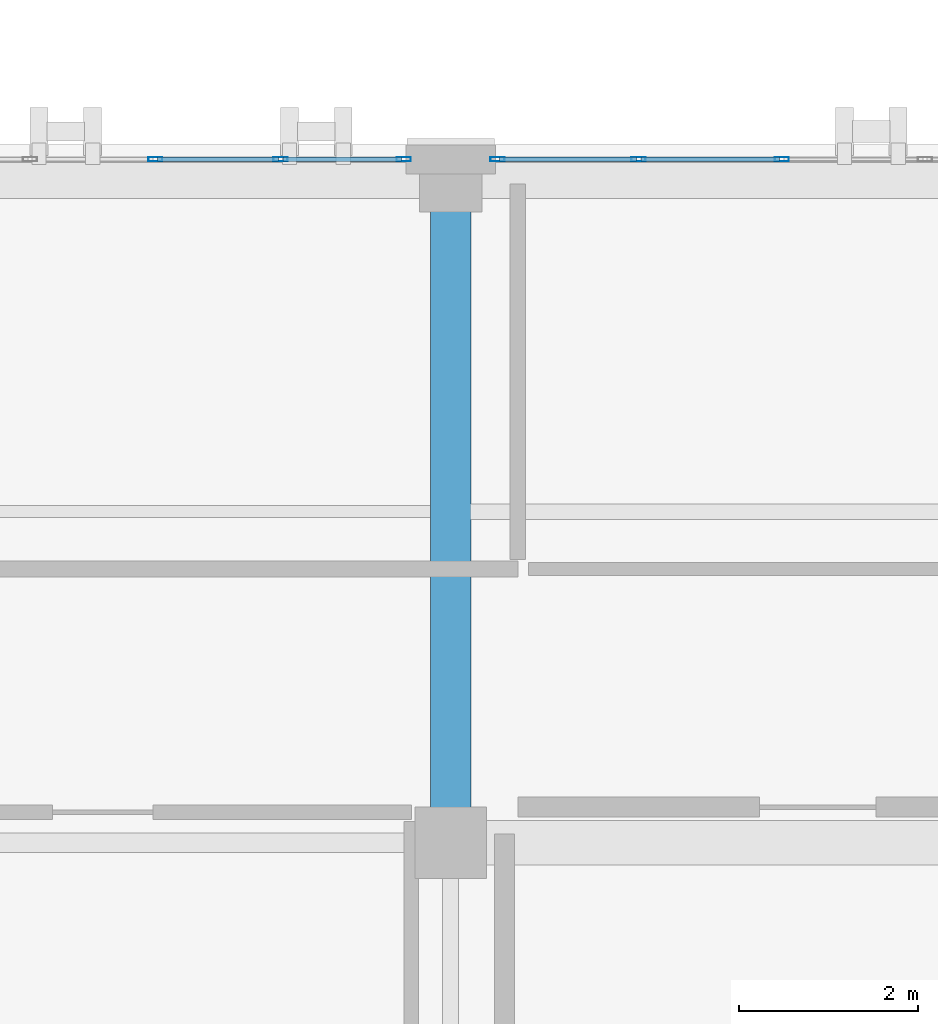
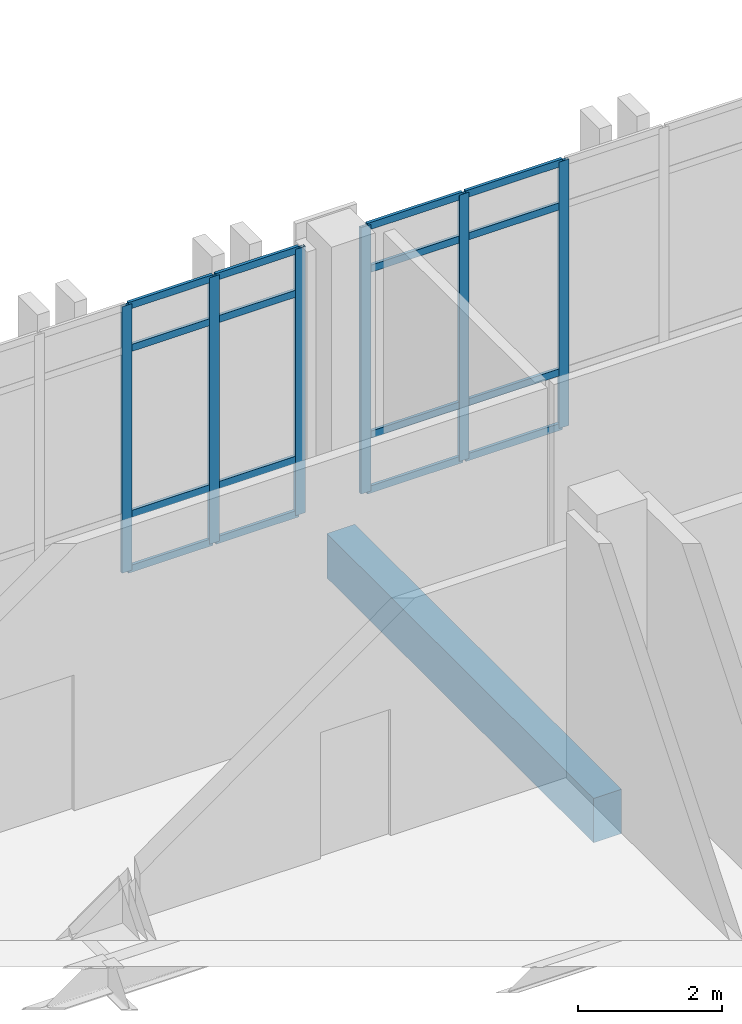
# One storey, part 53 of 189: 22 members, 1 beam, 2 elements without a shape of their own.
"""IFC4 building model written with IfcOpenShell, lengths in metres."""

from ifc_helpers import new_model, si_unit, direction, frame, origin, origin_2d, place, context, subcontext, project, spatial, rectangle, hollow_rectangle, extrude, material, layer, layer_set, material_profile, profile_set, type_object, element, aggregate, save


model = new_model("IFC4")

# Units and contexts
model_context = context("Model", 3, precision=1e-05, world=origin(), true_north=direction((0.0, 1.0)))
body_context = subcontext(model_context, "Body", "Model", "MODEL_VIEW")
ifc_project = project(units=[si_unit("LENGTHUNIT", "METRE"), si_unit("AREAUNIT", "SQUARE_METRE"), si_unit("VOLUMEUNIT", "CUBIC_METRE"), si_unit("PLANEANGLEUNIT", "RADIAN"), si_unit("MASSUNIT", "GRAM", prefix="KILO")], contexts=[model_context])

# Site, building, storey
site_placement = place(None, origin())
site = spatial("IfcSite", under=ifc_project, at=site_placement, CompositionType="ELEMENT")
building_placement = place(site_placement, origin())
building = spatial("IfcBuilding", under=site, at=building_placement, Name="Qalavern Law Courts", CompositionType="ELEMENT")
storey_placement = place(building_placement, frame((0.0, 0.0, 5.39990234375)))
storey = spatial("IfcBuildingStorey", under=building, at=storey_placement, Name="L01", CompositionType="ELEMENT", Elevation=5.39990234375)

# Curtain wall, members
ifc_material_1 = material(Name="Anodised aluminium and insulated glazing", Category="aluminium")
ifc_layer = layer(ifc_material_1, 0.172119140625)
ifc_layer_set = layer_set([ifc_layer], Name="Anodised aluminium and insulated glazing")
curtain_wall_type = type_object("IfcCurtainWallType", Name="ENV-CW-COURT", PredefinedType="USERDEFINED", material=ifc_layer_set)
curtain_wall_1_placement = place(storey_placement, origin())
curtain_wall_1 = element("IfcCurtainWall", 1, at=curtain_wall_1_placement, inside=storey, type_object=curtain_wall_type, Name="V6 unitised curtain wall L01 north 6", ObjectType="UNITISED CURTAIN WALL", PredefinedType="USERDEFINED")
ifc_material_2 = material(Name="Anodised aluminium", Category="aluminium")
ifc_material_profile_1 = material_profile(ifc_material_2, hollow_rectangle(XDim=0.048095703125, YDim=0.159912109375, WallThickness=0.00390625, at=origin_2d()), Name="ALU MULLION 48x160")
ifc_profile_set_1 = profile_set([ifc_material_profile_1], Name="Anodised aluminium")
member_type_1 = type_object("IfcMemberType", Name="ENV-CWM-48x160", PredefinedType="MULLION", material=ifc_profile_set_1)
member_1_placement = place(storey_placement, frame((121.5, 22.4375, 0.0), z_axis=(0.0, 0.0, 1.0), x_axis=(0.0, -1.0, 0.0)))
member_1 = element("IfcMember", 2, at=member_1_placement, type_object=member_type_1, Name="CW-03 mullion 4", PredefinedType="MULLION", context=body_context, shape_type="SweptSolid", body=[
    extrude(hollow_rectangle(XDim=0.048095703125, YDim=0.159912109375, WallThickness=0.00390625, at=origin_2d()), origin(), (0.0, 0.0, 1.0), 4.510009765625),
])
member_2_placement = place(storey_placement, frame((119.89990234375, 22.4375, 0.0), z_axis=(0.0, 0.0, 1.0), x_axis=(0.0, -1.0, 0.0)))
member_2 = element("IfcMember", 3, at=member_2_placement, type_object=member_type_1, Name="CW-03 mullion 5", PredefinedType="MULLION", context=body_context, shape_type="SweptSolid", body=[
    extrude(hollow_rectangle(XDim=0.048095703125, YDim=0.159912109375, WallThickness=0.00390625, at=origin_2d()), origin(), (0.0, 0.0, 1.0), 4.510009765625),
])
member_3_placement = place(storey_placement, frame((118.323974609375, 22.4375, 0.0), z_axis=(0.0, 0.0, 1.0), x_axis=(0.0, -1.0, 0.0)))
member_3 = element("IfcMember", 4, at=member_3_placement, type_object=member_type_1, Name="CW-03 mullion 6", PredefinedType="MULLION", context=body_context, shape_type="SweptSolid", body=[
    extrude(hollow_rectangle(XDim=0.048095703125, YDim=0.159912109375, WallThickness=0.00390625, at=origin_2d()), origin(), (0.0, 0.0, 1.0), 4.510009765625),
])

curtain_wall_2_placement = place(storey_placement, origin())
curtain_wall_2 = element("IfcCurtainWall", 5, at=curtain_wall_2_placement, inside=storey, type_object=curtain_wall_type, Name="V6 unitised curtain wall L01 north 7", ObjectType="UNITISED CURTAIN WALL", PredefinedType="USERDEFINED")
member_4_placement = place(storey_placement, frame((117.27587890625, 22.4375, 0.0), z_axis=(0.0, 0.0, 1.0), x_axis=(0.0, -1.0, 0.0)))
member_4 = element("IfcMember", 6, at=member_4_placement, type_object=member_type_1, Name="CW-03 mullion 1", PredefinedType="MULLION", context=body_context, shape_type="SweptSolid", body=[
    extrude(hollow_rectangle(XDim=0.048095703125, YDim=0.159912109375, WallThickness=0.00390625, at=origin_2d()), origin(), (0.0, 0.0, 1.0), 4.510009765625),
])
member_5_placement = place(storey_placement, frame((115.89990234375, 22.4375, 0.0), z_axis=(0.0, 0.0, 1.0), x_axis=(0.0, -1.0, 0.0)))
member_5 = element("IfcMember", 7, at=member_5_placement, type_object=member_type_1, Name="CW-03 mullion 2", PredefinedType="MULLION", context=body_context, shape_type="SweptSolid", body=[
    extrude(hollow_rectangle(XDim=0.048095703125, YDim=0.159912109375, WallThickness=0.00390625, at=origin_2d()), origin(), (0.0, 0.0, 1.0), 4.510009765625),
])
member_6_placement = place(storey_placement, frame((114.5, 22.4375, 0.0), z_axis=(0.0, 0.0, 1.0), x_axis=(0.0, -1.0, 0.0)))
member_6 = element("IfcMember", 8, at=member_6_placement, type_object=member_type_1, Name="CW-03 mullion 3", PredefinedType="MULLION", context=body_context, shape_type="SweptSolid", body=[
    extrude(hollow_rectangle(XDim=0.048095703125, YDim=0.159912109375, WallThickness=0.00390625, at=origin_2d()), origin(), (0.0, 0.0, 1.0), 4.510009765625),
])

# Member
ifc_material_profile_2 = material_profile(ifc_material_2, hollow_rectangle(XDim=0.048095703125, YDim=0.1201171875, WallThickness=0.00390625, at=origin_2d()), Name="ALU TRANSOM 48x120")
ifc_profile_set_2 = profile_set([ifc_material_profile_2], Name="Anodised aluminium")
member_type_2 = type_object("IfcMemberType", Name="ENV-CWT-48x120", PredefinedType="USERDEFINED", material=ifc_profile_set_2)
member_7_placement = place(storey_placement, frame((121.47607421875, 22.4375, 0.024169921875), z_axis=(-1.0, 0.0, 0.0), x_axis=(0.0, -1.0, 0.0)))
member_7 = element("IfcMember", 9, at=member_7_placement, type_object=member_type_2, Name="CW-03 transom 4.1", ObjectType="TRANSOM", PredefinedType="USERDEFINED", context=body_context, shape_type="SweptSolid", body=[
    extrude(hollow_rectangle(XDim=0.048095703125, YDim=0.1201171875, WallThickness=0.00390625, at=origin_2d()), origin(), (0.0, 0.0, 1.0), 1.552001953125),
])

member_8_placement = place(storey_placement, frame((121.47607421875, 22.4375, 0.9501953125), z_axis=(-1.0, 0.0, 0.0), x_axis=(0.0, -1.0, 0.0)))
member_8 = element("IfcMember", 10, at=member_8_placement, type_object=member_type_2, Name="CW-03 transom 4.2", ObjectType="TRANSOM", PredefinedType="USERDEFINED", context=body_context, shape_type="SweptSolid", body=[
    extrude(hollow_rectangle(XDim=0.048095703125, YDim=0.1201171875, WallThickness=0.00390625, at=origin_2d()), origin(), (0.0, 0.0, 1.0), 1.552001953125),
])

member_9_placement = place(storey_placement, frame((121.47607421875, 22.4375, 3.760009765625), z_axis=(-1.0, 0.0, 0.0), x_axis=(0.0, -1.0, 0.0)))
member_9 = element("IfcMember", 11, at=member_9_placement, type_object=member_type_2, Name="CW-03 transom 4.3", ObjectType="TRANSOM", PredefinedType="USERDEFINED", context=body_context, shape_type="SweptSolid", body=[
    extrude(hollow_rectangle(XDim=0.048095703125, YDim=0.1201171875, WallThickness=0.00390625, at=origin_2d()), origin(), (0.0, 0.0, 1.0), 1.552001953125),
])

member_10_placement = place(storey_placement, frame((121.47607421875, 22.4375, 4.486083984375), z_axis=(-1.0, 0.0, 0.0), x_axis=(0.0, -1.0, 0.0)))
member_10 = element("IfcMember", 12, at=member_10_placement, type_object=member_type_2, Name="CW-03 transom 4.4", ObjectType="TRANSOM", PredefinedType="USERDEFINED", context=body_context, shape_type="SweptSolid", body=[
    extrude(hollow_rectangle(XDim=0.048095703125, YDim=0.1201171875, WallThickness=0.00390625, at=origin_2d()), origin(), (0.0, 0.0, 1.0), 1.552001953125),
])

member_11_placement = place(storey_placement, frame((119.8759765625, 22.4375, 0.024169921875), z_axis=(-1.0, 0.0, 0.0), x_axis=(0.0, -1.0, 0.0)))
member_11 = element("IfcMember", 13, at=member_11_placement, type_object=member_type_2, Name="CW-03 transom 5.1", ObjectType="TRANSOM", PredefinedType="USERDEFINED", context=body_context, shape_type="SweptSolid", body=[
    extrude(hollow_rectangle(XDim=0.048095703125, YDim=0.1201171875, WallThickness=0.00390625, at=origin_2d()), origin(), (0.0, 0.0, 1.0), 1.528076171875),
])

member_12_placement = place(storey_placement, frame((119.8759765625, 22.4375, 0.9501953125), z_axis=(-1.0, 0.0, 0.0), x_axis=(0.0, -1.0, 0.0)))
member_12 = element("IfcMember", 14, at=member_12_placement, type_object=member_type_2, Name="CW-03 transom 5.2", ObjectType="TRANSOM", PredefinedType="USERDEFINED", context=body_context, shape_type="SweptSolid", body=[
    extrude(hollow_rectangle(XDim=0.048095703125, YDim=0.1201171875, WallThickness=0.00390625, at=origin_2d()), origin(), (0.0, 0.0, 1.0), 1.528076171875),
])

member_13_placement = place(storey_placement, frame((119.8759765625, 22.4375, 3.760009765625), z_axis=(-1.0, 0.0, 0.0), x_axis=(0.0, -1.0, 0.0)))
member_13 = element("IfcMember", 15, at=member_13_placement, type_object=member_type_2, Name="CW-03 transom 5.3", ObjectType="TRANSOM", PredefinedType="USERDEFINED", context=body_context, shape_type="SweptSolid", body=[
    extrude(hollow_rectangle(XDim=0.048095703125, YDim=0.1201171875, WallThickness=0.00390625, at=origin_2d()), origin(), (0.0, 0.0, 1.0), 1.528076171875),
])

member_14_placement = place(storey_placement, frame((119.8759765625, 22.4375, 4.486083984375), z_axis=(-1.0, 0.0, 0.0), x_axis=(0.0, -1.0, 0.0)))
member_14 = element("IfcMember", 16, at=member_14_placement, type_object=member_type_2, Name="CW-03 transom 5.4", ObjectType="TRANSOM", PredefinedType="USERDEFINED", context=body_context, shape_type="SweptSolid", body=[
    extrude(hollow_rectangle(XDim=0.048095703125, YDim=0.1201171875, WallThickness=0.00390625, at=origin_2d()), origin(), (0.0, 0.0, 1.0), 1.528076171875),
])

aggregate(curtain_wall_1, [member_1, member_2, member_3, member_7, member_8, member_9, member_10, member_11, member_12, member_13, member_14])

member_15_placement = place(storey_placement, frame((117.251953125, 22.4375, 0.024169921875), z_axis=(-1.0, 0.0, 0.0), x_axis=(0.0, -1.0, 0.0)))
member_15 = element("IfcMember", 17, at=member_15_placement, type_object=member_type_2, Name="CW-03 transom 1.1", ObjectType="TRANSOM", PredefinedType="USERDEFINED", context=body_context, shape_type="SweptSolid", body=[
    extrude(hollow_rectangle(XDim=0.048095703125, YDim=0.1201171875, WallThickness=0.00390625, at=origin_2d()), origin(), (0.0, 0.0, 1.0), 1.327880859375),
])

member_16_placement = place(storey_placement, frame((117.251953125, 22.4375, 0.9501953125), z_axis=(-1.0, 0.0, 0.0), x_axis=(0.0, -1.0, 0.0)))
member_16 = element("IfcMember", 18, at=member_16_placement, type_object=member_type_2, Name="CW-03 transom 1.2", ObjectType="TRANSOM", PredefinedType="USERDEFINED", context=body_context, shape_type="SweptSolid", body=[
    extrude(hollow_rectangle(XDim=0.048095703125, YDim=0.1201171875, WallThickness=0.00390625, at=origin_2d()), origin(), (0.0, 0.0, 1.0), 1.327880859375),
])

member_17_placement = place(storey_placement, frame((117.251953125, 22.4375, 3.760009765625), z_axis=(-1.0, 0.0, 0.0), x_axis=(0.0, -1.0, 0.0)))
member_17 = element("IfcMember", 19, at=member_17_placement, type_object=member_type_2, Name="CW-03 transom 1.3", ObjectType="TRANSOM", PredefinedType="USERDEFINED", context=body_context, shape_type="SweptSolid", body=[
    extrude(hollow_rectangle(XDim=0.048095703125, YDim=0.1201171875, WallThickness=0.00390625, at=origin_2d()), origin(), (0.0, 0.0, 1.0), 1.327880859375),
])

member_18_placement = place(storey_placement, frame((117.251953125, 22.4375, 4.486083984375), z_axis=(-1.0, 0.0, 0.0), x_axis=(0.0, -1.0, 0.0)))
member_18 = element("IfcMember", 20, at=member_18_placement, type_object=member_type_2, Name="CW-03 transom 1.4", ObjectType="TRANSOM", PredefinedType="USERDEFINED", context=body_context, shape_type="SweptSolid", body=[
    extrude(hollow_rectangle(XDim=0.048095703125, YDim=0.1201171875, WallThickness=0.00390625, at=origin_2d()), origin(), (0.0, 0.0, 1.0), 1.327880859375),
])

member_19_placement = place(storey_placement, frame((115.8759765625, 22.4375, 0.024169921875), z_axis=(-1.0, 0.0, 0.0), x_axis=(0.0, -1.0, 0.0)))
member_19 = element("IfcMember", 21, at=member_19_placement, type_object=member_type_2, Name="CW-03 transom 2.1", ObjectType="TRANSOM", PredefinedType="USERDEFINED", context=body_context, shape_type="SweptSolid", body=[
    extrude(hollow_rectangle(XDim=0.048095703125, YDim=0.1201171875, WallThickness=0.00390625, at=origin_2d()), origin(), (0.0, 0.0, 1.0), 1.35205078125),
])

member_20_placement = place(storey_placement, frame((115.8759765625, 22.4375, 0.9501953125), z_axis=(-1.0, 0.0, 0.0), x_axis=(0.0, -1.0, 0.0)))
member_20 = element("IfcMember", 22, at=member_20_placement, type_object=member_type_2, Name="CW-03 transom 2.2", ObjectType="TRANSOM", PredefinedType="USERDEFINED", context=body_context, shape_type="SweptSolid", body=[
    extrude(hollow_rectangle(XDim=0.048095703125, YDim=0.1201171875, WallThickness=0.00390625, at=origin_2d()), origin(), (0.0, 0.0, 1.0), 1.35205078125),
])

member_21_placement = place(storey_placement, frame((115.8759765625, 22.4375, 3.760009765625), z_axis=(-1.0, 0.0, 0.0), x_axis=(0.0, -1.0, 0.0)))
member_21 = element("IfcMember", 23, at=member_21_placement, type_object=member_type_2, Name="CW-03 transom 2.3", ObjectType="TRANSOM", PredefinedType="USERDEFINED", context=body_context, shape_type="SweptSolid", body=[
    extrude(hollow_rectangle(XDim=0.048095703125, YDim=0.1201171875, WallThickness=0.00390625, at=origin_2d()), origin(), (0.0, 0.0, 1.0), 1.35205078125),
])

member_22_placement = place(storey_placement, frame((115.8759765625, 22.4375, 4.486083984375), z_axis=(-1.0, 0.0, 0.0), x_axis=(0.0, -1.0, 0.0)))
member_22 = element("IfcMember", 24, at=member_22_placement, type_object=member_type_2, Name="CW-03 transom 2.4", ObjectType="TRANSOM", PredefinedType="USERDEFINED", context=body_context, shape_type="SweptSolid", body=[
    extrude(hollow_rectangle(XDim=0.048095703125, YDim=0.1201171875, WallThickness=0.00390625, at=origin_2d()), origin(), (0.0, 0.0, 1.0), 1.35205078125),
])

aggregate(curtain_wall_2, [member_4, member_5, member_6, member_15, member_16, member_17, member_18, member_19, member_20, member_21, member_22])

# Beam
ifc_material_3 = material(Name="Concrete C40/50", Category="concrete")
ifc_material_profile_3 = material_profile(ifc_material_3, rectangle(XDim=0.449951171875, YDim=0.75, at=origin_2d()), Name="RC 450x750")
ifc_profile_set_3 = profile_set([ifc_material_profile_3], Name="Concrete C40/50")
beam_type = type_object("IfcBeamType", Name="STR-BM-RC450x750", PredefinedType="BEAM", material=ifc_profile_set_3)
beam_placement = place(storey_placement, frame((117.800048828125, 14.800048828125, -0.6748046875), z_axis=(0.0, 1.0, 0.0), x_axis=(-1.0, 0.0, 0.0)))
element("IfcBeam", 25, at=beam_placement, inside=storey, type_object=beam_type, Name="V6 Y-beam 3-3 L01", PredefinedType="BEAM", context=body_context, shape_type="SweptSolid", body=[
    extrude(rectangle(XDim=0.449951171875, YDim=0.75, at=origin_2d()), origin(), (0.0, 0.0, 1.0), 7.39990234375),
])

save(model, "model.ifc")
